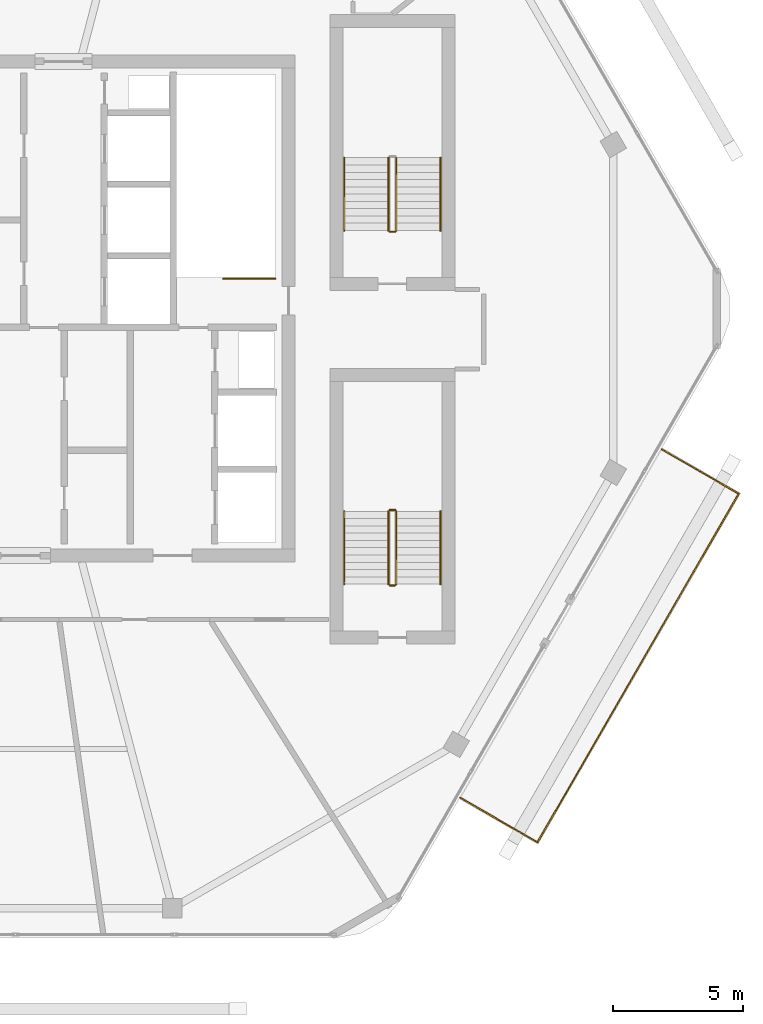
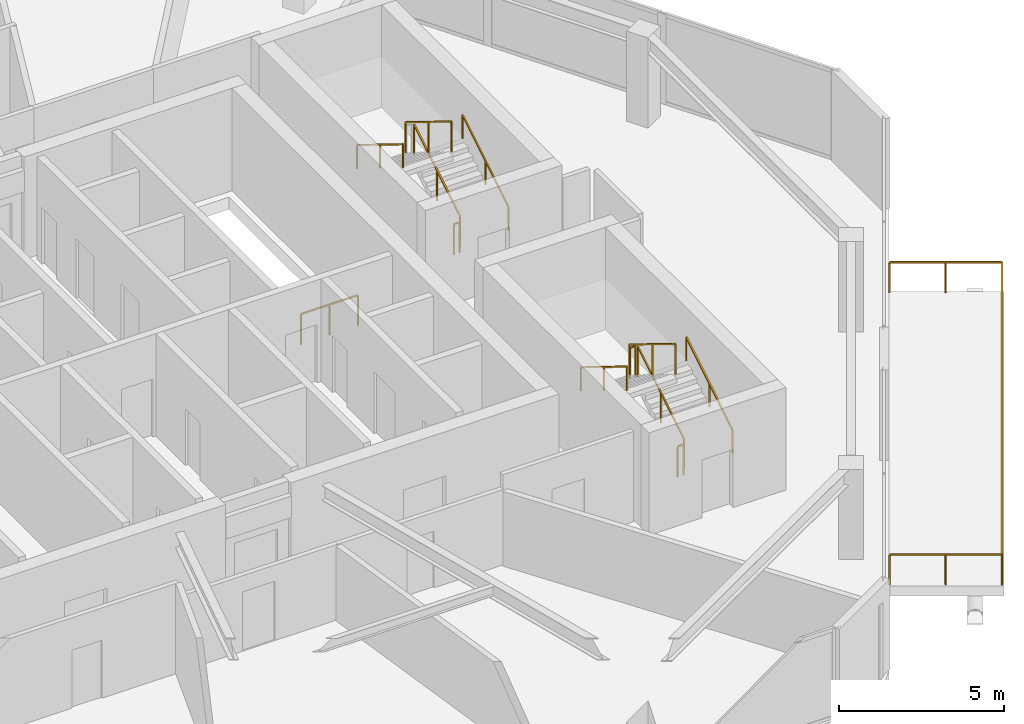
# One storey, part 21 of 22: 13 railings.
"""IFC4 building model written with IfcOpenShell, lengths in metres."""

from ifc_helpers import new_model, si_unit, direction, frame, origin, origin_2d, place, context, subcontext, project, spatial, rectangle, extrude, material, type_object, element, save


model = new_model("IFC4")

# Units and contexts
model_context = context("Model", 3, precision=1e-05, world=origin(), true_north=direction((0.0, 1.0)))
body_context = subcontext(model_context, "Body", "Model", "MODEL_VIEW")
ifc_project = project(units=[si_unit("LENGTHUNIT", "METRE"), si_unit("AREAUNIT", "SQUARE_METRE"), si_unit("VOLUMEUNIT", "CUBIC_METRE"), si_unit("PLANEANGLEUNIT", "RADIAN"), si_unit("MASSUNIT", "GRAM", prefix="KILO")], contexts=[model_context])

# Site, building, storey
site_placement = place(None, origin())
site = spatial("IfcSite", under=ifc_project, at=site_placement, CompositionType="ELEMENT")
building_placement = place(site_placement, origin())
building = spatial("IfcBuilding", under=site, at=building_placement, Name="Zuhravey Tower", CompositionType="ELEMENT")
storey_placement = place(building_placement, frame((0.0, 0.0, 357.60009765625)))
storey = spatial("IfcBuildingStorey", under=building, at=storey_placement, Name="L91", CompositionType="ELEMENT", Elevation=357.60009765625)

# Railings
ifc_material_1 = material(Name="Stainless steel 316 and laminated glass", Category="steel")
railing_type_1 = type_object("IfcRailingType", Name="Balcony & Terrace Guardrail 1150", PredefinedType="BALUSTRADE", material=ifc_material_1)
railing_1_placement = place(storey_placement, frame((53.113037109375, 13.182373046875, 0.0)))
element("IfcRailing", 1, at=railing_1_placement, inside=storey, type_object=railing_type_1, Name="L91 Sky-Pool Terrace Guardrail GR1", PredefinedType="BALUSTRADE", context=body_context, shape_type="SweptSolid", body=[
    extrude(rectangle(XDim=0.048095703125, YDim=0.048095703125, at=origin_2d()), frame((0.001708984375, -0.0009765625, 1.1259765625), z_axis=(0.866032454348, -0.499987787867, 0.0), x_axis=(0.499987787867, 0.866032454348, 0.0)), (0.0, 0.0, 1.0), 3.4208984375),
    extrude(rectangle(XDim=0.048095703125, YDim=0.048095703125, at=origin_2d()), frame((2.967041015625, -1.710693359375, 1.1259765625), z_axis=(0.500001411958, 0.866024588589, 0.0), x_axis=(-0.866024588589, 0.500001411958, 0.0)), (0.0, 0.0, 1.0), 15.475830078125),
    extrude(rectangle(XDim=0.048095703125, YDim=0.048095703125, at=origin_2d()), frame((10.704345703125, 11.694580078125, 1.1259765625), z_axis=(-0.866032454348, 0.499987787867, 0.0), x_axis=(-0.499987787867, -0.866032454348, 0.0)), (0.0, 0.0, 1.0), 3.4208984375),
    extrude(rectangle(XDim=0.0419921875, YDim=0.0419921875, at=origin_2d()), origin(), (0.0, 0.0, 1.0), 1.099853515625),
    extrude(rectangle(XDim=0.0419921875, YDim=0.0419921875, at=origin_2d()), frame((1.48291015625, -0.856201171875, 0.0)), (0.0, 0.0, 1.0), 1.099853515625),
    extrude(rectangle(XDim=0.0419921875, YDim=0.0419921875, at=origin_2d()), frame((2.966064453125, -1.71240234375, 0.0)), (0.0, 0.0, 1.0), 1.099853515625),
    extrude(rectangle(XDim=0.0419921875, YDim=0.0419921875, at=origin_2d()), frame((3.826171875, -0.222900390625, 0.0)), (0.0, 0.0, 1.0), 1.099853515625),
    extrude(rectangle(XDim=0.0419921875, YDim=0.0419921875, at=origin_2d()), frame((4.68603515625, 1.2666015625, 0.0)), (0.0, 0.0, 1.0), 1.099853515625),
    extrude(rectangle(XDim=0.0419921875, YDim=0.0419921875, at=origin_2d()), frame((5.546142578125, 2.75634765625, 0.0)), (0.0, 0.0, 1.0), 1.099853515625),
    extrude(rectangle(XDim=0.0419921875, YDim=0.0419921875, at=origin_2d()), frame((6.406005859375, 4.245849609375, 0.0)), (0.0, 0.0, 1.0), 1.099853515625),
    extrude(rectangle(XDim=0.0419921875, YDim=0.0419921875, at=origin_2d()), frame((7.26611328125, 5.7353515625, 0.0)), (0.0, 0.0, 1.0), 1.099853515625),
    extrude(rectangle(XDim=0.0419921875, YDim=0.0419921875, at=origin_2d()), frame((8.1259765625, 7.224853515625, 0.0)), (0.0, 0.0, 1.0), 1.099853515625),
    extrude(rectangle(XDim=0.0419921875, YDim=0.0419921875, at=origin_2d()), frame((8.986083984375, 8.714599609375, 0.0)), (0.0, 0.0, 1.0), 1.099853515625),
    extrude(rectangle(XDim=0.0419921875, YDim=0.0419921875, at=origin_2d()), frame((9.845947265625, 10.2041015625, 0.0)), (0.0, 0.0, 1.0), 1.099853515625),
    extrude(rectangle(XDim=0.0419921875, YDim=0.0419921875, at=origin_2d()), frame((10.7060546875, 11.693603515625, 0.0)), (0.0, 0.0, 1.0), 1.099853515625),
    extrude(rectangle(XDim=0.0419921875, YDim=0.0419921875, at=origin_2d()), frame((9.22314453125, 12.5498046875, 0.0)), (0.0, 0.0, 1.0), 1.099853515625),
    extrude(rectangle(XDim=0.0419921875, YDim=0.0419921875, at=origin_2d()), frame((7.739990234375, 13.406005859375, 0.0)), (0.0, 0.0, 1.0), 1.099853515625),
])
ifc_material_2 = material(Name="Brushed stainless steel", Category="steel")
railing_type_2 = type_object("IfcRailingType", Name="Stair Wall Handrail 900", PredefinedType="HANDRAIL", material=ifc_material_2)
railing_2_placement = place(storey_placement, frame((52.35009765625, 21.39990234375, 0.172607421875)))
element("IfcRailing", 2, at=railing_2_placement, inside=storey, type_object=railing_type_2, Name="L91 CST2 stair handrail 1", PredefinedType="HANDRAIL", context=body_context, shape_type="SweptSolid", body=[
    extrude(rectangle(XDim=0.048095703125, YDim=0.048095703125, at=origin_2d()), frame((0.0, 0.001708984375, 0.876953125), z_axis=(0.0, 0.851089632645, 0.525020415988), x_axis=(-1.0, 0.0, 0.0)), (0.0, 0.0, 1.0), 3.285888671875),
    extrude(rectangle(XDim=0.0419921875, YDim=0.0419921875, at=origin_2d()), origin(), (0.0, 0.0, 1.0), 0.849853515625),
    extrude(rectangle(XDim=0.0419921875, YDim=0.0419921875, at=origin_2d()), frame((0.0, 1.39990234375, 0.86376953125)), (0.0, 0.0, 1.0), 0.849853515625),
    extrude(rectangle(XDim=0.0419921875, YDim=0.0419921875, at=origin_2d()), frame((0.0, 2.800048828125, 1.727294921875)), (0.0, 0.0, 1.0), 0.849853515625),
])
railing_3_placement = place(storey_placement, frame((48.64990234375, 24.199951171875, 2.072509765625)))
element("IfcRailing", 3, at=railing_3_placement, inside=storey, type_object=railing_type_2, Name="L91 CST2 stair handrail 2", PredefinedType="HANDRAIL", context=body_context, shape_type="SweptSolid", body=[
    extrude(rectangle(XDim=0.048095703125, YDim=0.048095703125, at=origin_2d()), frame((0.0, -0.001708984375, 0.876953125), z_axis=(0.0, -0.851089632645, 0.525020415988), x_axis=(1.0, 0.0, 0.0)), (0.0, 0.0, 1.0), 3.285888671875),
    extrude(rectangle(XDim=0.0419921875, YDim=0.0419921875, at=origin_2d()), origin(), (0.0, 0.0, 1.0), 0.849853515625),
    extrude(rectangle(XDim=0.0419921875, YDim=0.0419921875, at=origin_2d()), frame((0.0, -1.39990234375, 0.86376953125)), (0.0, 0.0, 1.0), 0.849853515625),
    extrude(rectangle(XDim=0.0419921875, YDim=0.0419921875, at=origin_2d()), frame((0.0, -2.800048828125, 1.727294921875)), (0.0, 0.0, 1.0), 0.849853515625),
])
railing_4_placement = place(storey_placement, frame((52.35009765625, 35.0, 0.172607421875)))
element("IfcRailing", 4, at=railing_4_placement, inside=storey, type_object=railing_type_2, Name="L91 CST3 stair handrail 1", PredefinedType="HANDRAIL", context=body_context, shape_type="SweptSolid", body=[
    extrude(rectangle(XDim=0.048095703125, YDim=0.048095703125, at=origin_2d()), frame((0.0, 0.001708984375, 0.876953125), z_axis=(0.0, 0.851089632645, 0.525020415988), x_axis=(-1.0, 0.0, 0.0)), (0.0, 0.0, 1.0), 3.285888671875),
    extrude(rectangle(XDim=0.0419921875, YDim=0.0419921875, at=origin_2d()), origin(), (0.0, 0.0, 1.0), 0.849853515625),
    extrude(rectangle(XDim=0.0419921875, YDim=0.0419921875, at=origin_2d()), frame((0.0, 1.39990234375, 0.86376953125)), (0.0, 0.0, 1.0), 0.849853515625),
    extrude(rectangle(XDim=0.0419921875, YDim=0.0419921875, at=origin_2d()), frame((0.0, 2.800048828125, 1.727294921875)), (0.0, 0.0, 1.0), 0.849853515625),
])
railing_5_placement = place(storey_placement, frame((48.64990234375, 37.800048828125, 2.072509765625)))
element("IfcRailing", 5, at=railing_5_placement, inside=storey, type_object=railing_type_2, Name="L91 CST3 stair handrail 2", PredefinedType="HANDRAIL", context=body_context, shape_type="SweptSolid", body=[
    extrude(rectangle(XDim=0.048095703125, YDim=0.048095703125, at=origin_2d()), frame((0.0, -0.001708984375, 0.876953125), z_axis=(0.0, -0.851089632645, 0.525020415988), x_axis=(1.0, 0.0, 0.0)), (0.0, 0.0, 1.0), 3.285888671875),
    extrude(rectangle(XDim=0.0419921875, YDim=0.0419921875, at=origin_2d()), origin(), (0.0, 0.0, 1.0), 0.849853515625),
    extrude(rectangle(XDim=0.0419921875, YDim=0.0419921875, at=origin_2d()), frame((0.0, -1.39990234375, 0.86376953125)), (0.0, 0.0, 1.0), 0.849853515625),
    extrude(rectangle(XDim=0.0419921875, YDim=0.0419921875, at=origin_2d()), frame((0.0, -2.800048828125, 1.727294921875)), (0.0, 0.0, 1.0), 0.849853515625),
])
ifc_material_3 = material(Name="Painted tubular steel", Category="steel")
railing_type_3 = type_object("IfcRailingType", Name="Stair Well Guardrail 1150", PredefinedType="GUARDRAIL", material=ifc_material_3)
railing_6_placement = place(storey_placement, frame((46.0, 33.14990234375, 0.0)))
element("IfcRailing", 6, at=railing_6_placement, inside=storey, type_object=railing_type_3, Name="L91 ST2 top well guard 1", PredefinedType="GUARDRAIL", context=body_context, shape_type="SweptSolid", body=[
    extrude(rectangle(XDim=0.048095703125, YDim=0.048095703125, at=origin_2d()), frame((-0.001953125, 0.0, 1.1259765625), z_axis=(-1.0, 0.0, 0.0), x_axis=(0.0, -1.0, 0.0)), (0.0, 0.0, 1.0), 1.99609375),
    extrude(rectangle(XDim=0.0419921875, YDim=0.0419921875, at=origin_2d()), origin(), (0.0, 0.0, 1.0), 1.099853515625),
    extrude(rectangle(XDim=0.0419921875, YDim=0.0419921875, at=origin_2d()), frame((-1.0, 0.0, 0.0)), (0.0, 0.0, 1.0), 1.099853515625),
    extrude(rectangle(XDim=0.0419921875, YDim=0.0419921875, at=origin_2d()), frame((-2.0, 0.0, 0.0)), (0.0, 0.0, 1.0), 1.099853515625),
])
railing_7_placement = place(storey_placement, frame((50.64990234375, 21.39990234375, 0.172607421875)))
element("IfcRailing", 7, at=railing_7_placement, inside=storey, type_object=railing_type_3, Name="L91 CST2 stair guard 1", PredefinedType="GUARDRAIL", context=body_context, shape_type="SweptSolid", body=[
    extrude(rectangle(XDim=0.048095703125, YDim=0.048095703125, at=origin_2d()), frame((0.0, 0.001708984375, 1.126953125), z_axis=(0.0, 0.851089632645, 0.525020415988), x_axis=(-1.0, 0.0, 0.0)), (0.0, 0.0, 1.0), 3.285888671875),
    extrude(rectangle(XDim=0.0419921875, YDim=0.0419921875, at=origin_2d()), origin(), (0.0, 0.0, 1.0), 1.099853515625),
    extrude(rectangle(XDim=0.0419921875, YDim=0.0419921875, at=origin_2d()), frame((0.0, 1.39990234375, 0.86376953125)), (0.0, 0.0, 1.0), 1.099853515625),
    extrude(rectangle(XDim=0.0419921875, YDim=0.0419921875, at=origin_2d()), frame((0.0, 2.800048828125, 1.727294921875)), (0.0, 0.0, 1.0), 1.099853515625),
])
railing_8_placement = place(storey_placement, frame((50.60009765625, 24.25, 1.89990234375)))
element("IfcRailing", 8, at=railing_8_placement, inside=storey, type_object=railing_type_3, Name="L91 CST2 stair guard 2", PredefinedType="GUARDRAIL", context=body_context, shape_type="SweptSolid", body=[
    extrude(rectangle(XDim=0.048095703125, YDim=0.048095703125, at=origin_2d()), frame((-0.001953125, 0.0, 1.1259765625), z_axis=(-1.0, 0.0, 0.0), x_axis=(0.0, -1.0, 0.0)), (0.0, 0.0, 1.0), 0.1962890625),
    extrude(rectangle(XDim=0.0419921875, YDim=0.0419921875, at=origin_2d()), origin(), (0.0, 0.0, 1.0), 1.099853515625),
    extrude(rectangle(XDim=0.0419921875, YDim=0.0419921875, at=origin_2d()), frame((-0.2001953125, 0.0, 0.0)), (0.0, 0.0, 1.0), 1.099853515625),
])
railing_9_placement = place(storey_placement, frame((50.35009765625, 24.199951171875, 2.072509765625)))
element("IfcRailing", 9, at=railing_9_placement, inside=storey, type_object=railing_type_3, Name="L91 CST2 stair guard 3", PredefinedType="GUARDRAIL", context=body_context, shape_type="SweptSolid", body=[
    extrude(rectangle(XDim=0.048095703125, YDim=0.048095703125, at=origin_2d()), frame((0.0, -0.001708984375, 1.126953125), z_axis=(0.0, -0.851089632645, 0.525020415988), x_axis=(1.0, 0.0, 0.0)), (0.0, 0.0, 1.0), 3.285888671875),
    extrude(rectangle(XDim=0.0419921875, YDim=0.0419921875, at=origin_2d()), origin(), (0.0, 0.0, 1.0), 1.099853515625),
    extrude(rectangle(XDim=0.0419921875, YDim=0.0419921875, at=origin_2d()), frame((0.0, -1.39990234375, 0.86376953125)), (0.0, 0.0, 1.0), 1.099853515625),
    extrude(rectangle(XDim=0.0419921875, YDim=0.0419921875, at=origin_2d()), frame((0.0, -2.800048828125, 1.727294921875)), (0.0, 0.0, 1.0), 1.099853515625),
])
railing_10_placement = place(storey_placement, frame((50.60009765625, 21.35009765625, 0.0)))
element("IfcRailing", 10, at=railing_10_placement, inside=storey, type_object=railing_type_3, Name="L91 CST2 stair guard 4", PredefinedType="GUARDRAIL", context=body_context, shape_type="SweptSolid", body=[
    extrude(rectangle(XDim=0.048095703125, YDim=0.048095703125, at=origin_2d()), frame((-0.001953125, 0.0, 1.1259765625), z_axis=(-1.0, 0.0, 0.0), x_axis=(0.0, -1.0, 0.0)), (0.0, 0.0, 1.0), 0.1962890625),
    extrude(rectangle(XDim=0.0419921875, YDim=0.0419921875, at=origin_2d()), origin(), (0.0, 0.0, 1.0), 1.099853515625),
    extrude(rectangle(XDim=0.0419921875, YDim=0.0419921875, at=origin_2d()), frame((-0.2001953125, 0.0, 0.0)), (0.0, 0.0, 1.0), 1.099853515625),
])
railing_11_placement = place(storey_placement, frame((50.64990234375, 35.0, 0.172607421875)))
element("IfcRailing", 11, at=railing_11_placement, inside=storey, type_object=railing_type_3, Name="L91 CST3 stair guard 1", PredefinedType="GUARDRAIL", context=body_context, shape_type="SweptSolid", body=[
    extrude(rectangle(XDim=0.048095703125, YDim=0.048095703125, at=origin_2d()), frame((0.0, 0.001708984375, 1.126953125), z_axis=(0.0, 0.851089632645, 0.525020415988), x_axis=(-1.0, 0.0, 0.0)), (0.0, 0.0, 1.0), 3.285888671875),
    extrude(rectangle(XDim=0.0419921875, YDim=0.0419921875, at=origin_2d()), origin(), (0.0, 0.0, 1.0), 1.099853515625),
    extrude(rectangle(XDim=0.0419921875, YDim=0.0419921875, at=origin_2d()), frame((0.0, 1.39990234375, 0.86376953125)), (0.0, 0.0, 1.0), 1.099853515625),
    extrude(rectangle(XDim=0.0419921875, YDim=0.0419921875, at=origin_2d()), frame((0.0, 2.800048828125, 1.727294921875)), (0.0, 0.0, 1.0), 1.099853515625),
])
railing_12_placement = place(storey_placement, frame((50.35009765625, 37.800048828125, 2.072509765625)))
element("IfcRailing", 12, at=railing_12_placement, inside=storey, type_object=railing_type_3, Name="L91 CST3 stair guard 3", PredefinedType="GUARDRAIL", context=body_context, shape_type="SweptSolid", body=[
    extrude(rectangle(XDim=0.048095703125, YDim=0.048095703125, at=origin_2d()), frame((0.0, -0.001708984375, 1.126953125), z_axis=(0.0, -0.851089632645, 0.525020415988), x_axis=(1.0, 0.0, 0.0)), (0.0, 0.0, 1.0), 3.285888671875),
    extrude(rectangle(XDim=0.0419921875, YDim=0.0419921875, at=origin_2d()), origin(), (0.0, 0.0, 1.0), 1.099853515625),
    extrude(rectangle(XDim=0.0419921875, YDim=0.0419921875, at=origin_2d()), frame((0.0, -1.39990234375, 0.86376953125)), (0.0, 0.0, 1.0), 1.099853515625),
    extrude(rectangle(XDim=0.0419921875, YDim=0.0419921875, at=origin_2d()), frame((0.0, -2.800048828125, 1.727294921875)), (0.0, 0.0, 1.0), 1.099853515625),
])
railing_13_placement = place(storey_placement, frame((50.60009765625, 34.949951171875, 0.0)))
element("IfcRailing", 13, at=railing_13_placement, inside=storey, type_object=railing_type_3, Name="L91 CST3 stair guard 4", PredefinedType="GUARDRAIL", context=body_context, shape_type="SweptSolid", body=[
    extrude(rectangle(XDim=0.048095703125, YDim=0.048095703125, at=origin_2d()), frame((-0.001953125, 0.0, 1.1259765625), z_axis=(-1.0, 0.0, 0.0), x_axis=(0.0, -1.0, 0.0)), (0.0, 0.0, 1.0), 0.1962890625),
    extrude(rectangle(XDim=0.0419921875, YDim=0.0419921875, at=origin_2d()), origin(), (0.0, 0.0, 1.0), 1.099853515625),
    extrude(rectangle(XDim=0.0419921875, YDim=0.0419921875, at=origin_2d()), frame((-0.2001953125, 0.0, 0.0)), (0.0, 0.0, 1.0), 1.099853515625),
])

save(model, "model.ifc")
